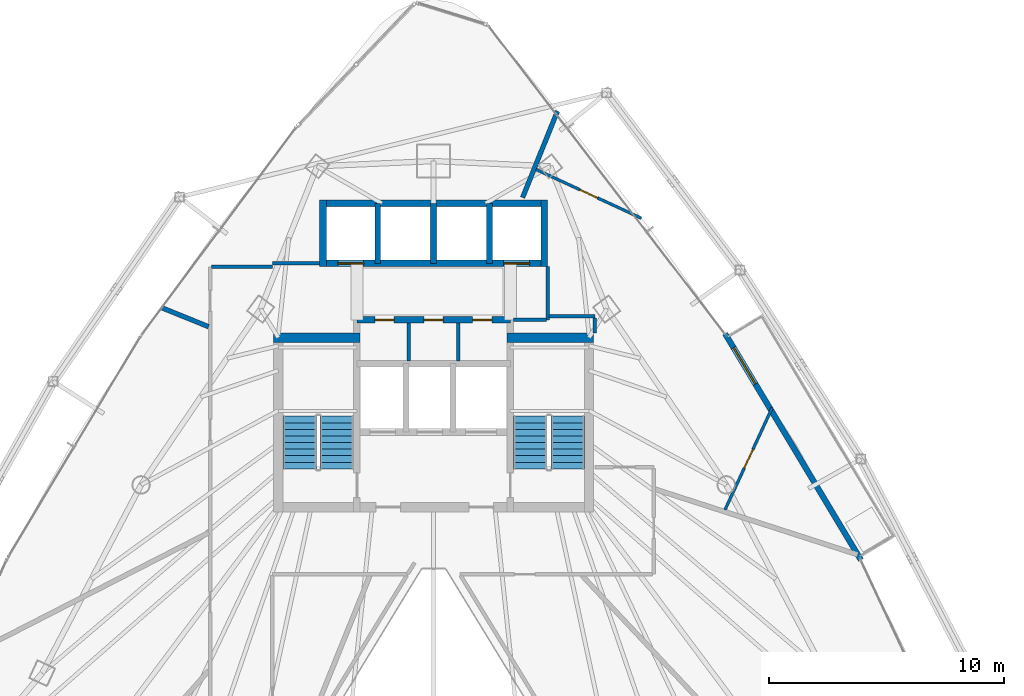
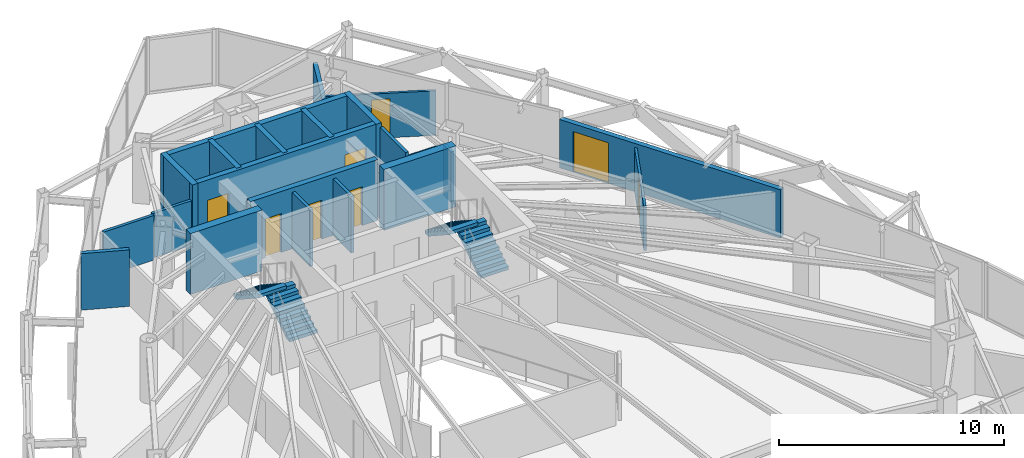
# One storey, part 28 of 31: 23 walls, 8 doors, 4 stair flights, 8 openings, 2 elements without a shape of their own.
"""IFC4 building model written with IfcOpenShell, lengths in metres."""

from ifc_helpers import new_model, si_unit, direction, frame, frame_2d, origin, place, context, subcontext, project, spatial, polyline, rectangle, outline, extrude, material, layer, layer_set, type_object, element, fill, aggregate, save


model = new_model("IFC4")

# Units and contexts
model_context = context("Model", 3, precision=1e-05, world=origin(), true_north=direction((0.0, 1.0)))
body_context = subcontext(model_context, "Body", "Model", "MODEL_VIEW")
ifc_project = project(units=[si_unit("LENGTHUNIT", "METRE"), si_unit("AREAUNIT", "SQUARE_METRE"), si_unit("VOLUMEUNIT", "CUBIC_METRE"), si_unit("PLANEANGLEUNIT", "RADIAN"), si_unit("MASSUNIT", "GRAM", prefix="KILO")], contexts=[model_context])

# Site, building, storey
site_placement = place(None, origin())
site = spatial("IfcSite", under=ifc_project, at=site_placement, CompositionType="ELEMENT")
building_placement = place(site_placement, origin())
building = spatial("IfcBuilding", under=site, at=building_placement, Name="Orvanel Arch Residences", CompositionType="ELEMENT")
storey_placement = place(building_placement, frame((0.0, 0.0, 150.64990234375)))
storey = spatial("IfcBuildingStorey", under=building, at=storey_placement, Name="L42", CompositionType="ELEMENT", Elevation=150.64990234375)

# Wall, opening, door
ifc_material_1 = material(Name="Precast concrete N50 (50 MPa)", Category="concrete")
ifc_layer_1 = layer(ifc_material_1, 0.239990234375)
ifc_layer_set_1 = layer_set([ifc_layer_1], Name="Precast concrete N50 (50 MPa)")
wall_type_1 = type_object("IfcWallType", Name="EW-BAL-240", PredefinedType="SOLIDWALL", material=ifc_layer_set_1)
wall_1_placement = place(storey_placement, frame((51.155029296875, 24.445068359375, 0.0), z_axis=(0.0, 0.0, 1.0), x_axis=(-0.514335781973, 0.857588889493, 0.0)))
wall_1 = element("IfcWall", 1, at=wall_1_placement, inside=storey, type_object=wall_type_1, Name="L42 Balcony Threshold Wall Face 3", PredefinedType="SOLIDWALL", context=body_context, shape_type="SweptSolid", body=[
    extrude(rectangle(XDim=11.22216796875, YDim=0.239990234375, at=frame_2d((5.611083984375, 0.0))), origin(), (0.0, 0.0, 1.0), 2.6240234375),
])
opening_1_placement = place(wall_1_placement, frame((8.72509765625, 0.0, 0.0)))
opening_1 = element("IfcOpeningElement", 2, at=opening_1_placement, cuts=wall_1, Name="Opening DB-180", PredefinedType="OPENING", context=body_context, shape_type="SweptSolid", body=[
    extrude(rectangle(XDim=1.800048828125, YDim=2.199951171875, at=frame_2d((0.89990234375, 1.10009765625))), frame((0.0, 0.1298828125, 0.0), z_axis=(0.0, -1.0, 0.0), x_axis=(1.0, 0.0, 0.0)), (0.0, 0.0, 1.0), 0.260009765625),
])
ifc_material_2 = material(Name="Bronze-anodised aluminium AA6063-T6", Category="aluminium")
door_type_1 = type_object("IfcDoorType", Name="DR-BAL-1800", OperationType="NOTDEFINED", PredefinedType="DOOR", material=ifc_material_2)
door_1_placement = place(opening_1_placement, origin())
door_1 = element("IfcDoor", 3, at=door_1_placement, inside=storey, type_object=door_type_1, Name="DR-L42-BAL-F3 L42 Planted Balcony Access Door Face 3", OperationType="SINGLE_SWING_RIGHT", OverallHeight=2.199951171875, OverallWidth=1.800048828125, PredefinedType="DOOR", context=body_context, shape_type="SweptSolid", body=[
    extrude(rectangle(XDim=1.800048828125, YDim=2.199951171875, at=frame_2d((0.89990234375, 1.10009765625))), frame((0.0, 0.02490234375, 0.0), z_axis=(0.0, -1.0, 0.0), x_axis=(1.0, 0.0, 0.0)), (0.0, 0.0, 1.0), 0.050048828125),
])
fill(opening_1, door_1)

# Walls
ifc_material_3 = material(Name="Concrete N50 (50 MPa)", Category="concrete")
ifc_layer_2 = layer(ifc_material_3, 0.25)
ifc_layer_set_2 = layer_set([ifc_layer_2], Name="Concrete N50 (50 MPa)")
wall_type_2 = type_object("IfcWallType", Name="SW-CORE-250", PredefinedType="SHEAR", material=ifc_layer_set_2)
for number, where, z_axis, x_axis, name in (
    (4, (30.625, 37.050048828125, 0.0), (0.0, 0.0, 1.0), (0.0, 1.0, 0.0), "L42 Passenger Lift Inter-Shaft Wall P35"),
    (5, (33.0, 37.050048828125, 0.0), (0.0, 0.0, 1.0), (0.0, 1.0, 0.0), "L42 Passenger Lift Inter-Shaft Wall P56"),
    (6, (35.375, 37.050048828125, 0.0), (0.0, 0.0, 1.0), (0.0, 1.0, 0.0), "L42 Passenger Lift Inter-Shaft Wall P64"),
):
    element("IfcWall", number, at=place(storey_placement, frame(where, z_axis=z_axis, x_axis=x_axis)), inside=storey, type_object=wall_type_2, Name=name, PredefinedType="SHEAR", context=body_context, shape_type="SweptSolid", body=[
        extrude(rectangle(XDim=2.550048828125, YDim=0.25, at=frame_2d((1.27490234375, 0.0))), origin(), (0.0, 0.0, 1.0), 3.300048828125),
    ])

# Wall, openings, doors
ifc_material_4 = material(Name="Concrete S65 (65 MPa)", Category="concrete")
ifc_layer_3 = layer(ifc_material_4, 0.280029296875)
ifc_layer_set_3 = layer_set([ifc_layer_3], Name="Concrete S65 (65 MPa)")
wall_type_3 = type_object("IfcWallType", Name="SW-CORE-280", PredefinedType="SHEAR", material=ifc_layer_set_3)
wall_2_placement = place(storey_placement, frame((29.739990234375, 34.64990234375, 0.0), z_axis=(0.0, 0.0, 1.0), x_axis=(1.0, 0.0, 0.0)))
wall_2 = element("IfcWall", 7, at=wall_2_placement, inside=storey, type_object=wall_type_3, Name="L42 Core Service Band North Shear Wall", PredefinedType="SHEAR", context=body_context, shape_type="SweptSolid", body=[
    extrude(rectangle(XDim=6.52001953125, YDim=0.280029296875, at=frame_2d((3.260009765625, 0.0))), origin(), (0.0, 0.0, 1.0), 3.300048828125),
])
opening_2_placement = place(wall_2_placement, frame((0.764892578125, 0.0, 0.0)))
opening_2 = element("IfcOpeningElement", 8, at=opening_2_placement, cuts=wall_2, Name="Opening DS-082", PredefinedType="OPENING", context=body_context, shape_type="SweptSolid", body=[
    extrude(rectangle(XDim=0.820068359375, YDim=2.10009765625, at=frame_2d((0.41015625, 1.050048828125))), frame((0.0, 0.14990234375, 0.0), z_axis=(0.0, -1.0, 0.0), x_axis=(1.0, 0.0, 0.0)), (0.0, 0.0, 1.0), 0.300048828125),
])
opening_3_placement = place(wall_2_placement, frame((2.840087890625, 0.0, 0.0)))
opening_3 = element("IfcOpeningElement", 9, at=opening_3_placement, cuts=wall_2, Name="Opening DS-082", PredefinedType="OPENING", context=body_context, shape_type="SweptSolid", body=[
    extrude(rectangle(XDim=0.820068359375, YDim=2.10009765625, at=frame_2d((0.41015625, 1.050048828125))), frame((0.0, 0.14990234375, 0.0), z_axis=(0.0, -1.0, 0.0), x_axis=(1.0, 0.0, 0.0)), (0.0, 0.0, 1.0), 0.300048828125),
])
opening_4_placement = place(wall_2_placement, frame((4.9150390625, 0.0, 0.0)))
opening_4 = element("IfcOpeningElement", 10, at=opening_4_placement, cuts=wall_2, Name="Opening DS-082", PredefinedType="OPENING", context=body_context, shape_type="SweptSolid", body=[
    extrude(rectangle(XDim=0.820068359375, YDim=2.10009765625, at=frame_2d((0.41015625, 1.050048828125))), frame((0.0, 0.14990234375, 0.0), z_axis=(0.0, -1.0, 0.0), x_axis=(1.0, 0.0, 0.0)), (0.0, 0.0, 1.0), 0.300048828125),
])
ifc_material_5 = material(Name="Galvanised steel fire-resisting door assembly", Category="steel")
door_type_2 = type_object("IfcDoorType", Name="DR-SVC-820", OperationType="NOTDEFINED", PredefinedType="DOOR", material=ifc_material_5)
door_2_placement = place(opening_2_placement, origin())
door_2 = element("IfcDoor", 11, at=door_2_placement, inside=storey, type_object=door_type_2, Name="DR-L42-CSVC-1 L42 Housekeeping Store Door", OperationType="SINGLE_SWING_LEFT", OverallHeight=2.10009765625, OverallWidth=0.820068359375, PredefinedType="DOOR", context=body_context, shape_type="SweptSolid", body=[
    extrude(rectangle(XDim=0.820068359375, YDim=2.10009765625, at=frame_2d((0.41015625, 1.050048828125))), frame((0.0, 0.02490234375, 0.0), z_axis=(0.0, -1.0, 0.0), x_axis=(1.0, 0.0, 0.0)), (0.0, 0.0, 1.0), 0.050048828125),
])
fill(opening_2, door_2)
door_3_placement = place(opening_3_placement, origin())
door_3 = element("IfcDoor", 12, at=door_3_placement, inside=storey, type_object=door_type_2, Name="DR-L42-CSVC-2 L42 Cleaner's Store Door", OperationType="SINGLE_SWING_LEFT", OverallHeight=2.10009765625, OverallWidth=0.820068359375, PredefinedType="DOOR", context=body_context, shape_type="SweptSolid", body=[
    extrude(rectangle(XDim=0.820068359375, YDim=2.10009765625, at=frame_2d((0.41015625, 1.050048828125))), frame((0.0, 0.02490234375, 0.0), z_axis=(0.0, -1.0, 0.0), x_axis=(1.0, 0.0, 0.0)), (0.0, 0.0, 1.0), 0.050048828125),
])
fill(opening_3, door_3)
door_4_placement = place(opening_4_placement, origin())
door_4 = element("IfcDoor", 13, at=door_4_placement, inside=storey, type_object=door_type_2, Name="DR-L42-CSVC-3 L42 Comms Riser Store Door", OperationType="SINGLE_SWING_LEFT", OverallHeight=2.10009765625, OverallWidth=0.820068359375, PredefinedType="DOOR", context=body_context, shape_type="SweptSolid", body=[
    extrude(rectangle(XDim=0.820068359375, YDim=2.10009765625, at=frame_2d((0.41015625, 1.050048828125))), frame((0.0, 0.02490234375, 0.0), z_axis=(0.0, -1.0, 0.0), x_axis=(1.0, 0.0, 0.0)), (0.0, 0.0, 1.0), 0.050048828125),
])
fill(opening_4, door_4)

wall_3_placement = place(storey_placement, frame((37.840087890625, 37.050048828125, 0.0), z_axis=(0.0, 0.0, 1.0), x_axis=(-1.0, 0.0, 0.0)))
wall_3 = element("IfcWall", 14, at=wall_3_placement, inside=storey, type_object=wall_type_3, Name="L42 Passenger Lift Bank Front Shear Wall", PredefinedType="SHEAR", context=body_context, shape_type="SweptSolid", body=[
    extrude(rectangle(XDim=9.68017578125, YDim=0.280029296875, at=frame_2d((4.840087890625, 0.0))), origin(), (0.0, 0.0, 1.0), 3.300048828125),
])
opening_5_placement = place(wall_3_placement, frame((7.81494140625, 0.0, 0.0)))
opening_5 = element("IfcOpeningElement", 15, at=opening_5_placement, cuts=wall_3, Name="Opening LD-110", PredefinedType="OPENING", context=body_context, shape_type="SweptSolid", body=[
    extrude(rectangle(XDim=1.10009765625, YDim=2.199951171875, at=frame_2d((0.550048828125, 1.10009765625))), frame((0.0, 0.14990234375, 0.0), z_axis=(0.0, -1.0, 0.0), x_axis=(1.0, 0.0, 0.0)), (0.0, 0.0, 1.0), 0.300048828125),
])
opening_6_placement = place(wall_3_placement, frame((0.764892578125, 0.0, 0.0)))
opening_6 = element("IfcOpeningElement", 16, at=opening_6_placement, cuts=wall_3, Name="Opening LD-110", PredefinedType="OPENING", context=body_context, shape_type="SweptSolid", body=[
    extrude(rectangle(XDim=1.10009765625, YDim=2.199951171875, at=frame_2d((0.550048828125, 1.10009765625))), frame((0.0, 0.14990234375, 0.0), z_axis=(0.0, -1.0, 0.0), x_axis=(1.0, 0.0, 0.0)), (0.0, 0.0, 1.0), 0.300048828125),
])
door_type_3 = type_object("IfcDoorType", Name="DR-LFT-1100", OperationType="NOTDEFINED", PredefinedType="DOOR", material=ifc_material_5)
door_5_placement = place(opening_5_placement, origin())
door_5 = element("IfcDoor", 17, at=door_5_placement, inside=storey, type_object=door_type_3, Name="LD-P3-L42 L42 Passenger Lift P3 Sliding Landing Door", OperationType="DOUBLE_DOOR_SLIDING", OverallHeight=2.199951171875, OverallWidth=1.10009765625, PredefinedType="DOOR", context=body_context, shape_type="SweptSolid", body=[
    extrude(rectangle(XDim=1.10009765625, YDim=2.199951171875, at=frame_2d((0.550048828125, 1.10009765625))), frame((0.0, 0.02490234375, 0.0), z_axis=(0.0, -1.0, 0.0), x_axis=(1.0, 0.0, 0.0)), (0.0, 0.0, 1.0), 0.050048828125),
])
fill(opening_5, door_5)
door_6_placement = place(opening_6_placement, origin())
door_6 = element("IfcDoor", 18, at=door_6_placement, inside=storey, type_object=door_type_3, Name="LD-P4-L42 L42 Passenger Lift P4 Sliding Landing Door", OperationType="DOUBLE_DOOR_SLIDING", OverallHeight=2.199951171875, OverallWidth=1.10009765625, PredefinedType="DOOR", context=body_context, shape_type="SweptSolid", body=[
    extrude(rectangle(XDim=1.10009765625, YDim=2.199951171875, at=frame_2d((0.550048828125, 1.10009765625))), frame((0.0, 0.02490234375, 0.0), z_axis=(0.0, -1.0, 0.0), x_axis=(1.0, 0.0, 0.0)), (0.0, 0.0, 1.0), 0.050048828125),
])
fill(opening_6, door_6)

# Walls
wall_4_placement = place(storey_placement, frame((28.159912109375, 39.60009765625, 0.0), z_axis=(0.0, 0.0, 1.0), x_axis=(1.0, 0.0, 0.0)))
element("IfcWall", 19, at=wall_4_placement, inside=storey, type_object=wall_type_3, Name="L42 Passenger Lift Bank North Shear Wall", PredefinedType="SHEAR", context=body_context, shape_type="SweptSolid", body=[
    extrude(rectangle(XDim=9.68017578125, YDim=0.280029296875, at=frame_2d((4.840087890625, 0.0))), origin(), (0.0, 0.0, 1.0), 3.300048828125),
])
for number, where, z_axis, x_axis, name in (
    (20, (28.300048828125, 36.909912109375, 0.0), (0.0, 0.0, 1.0), (0.0, 1.0, 0.0), "L42 Passenger Lift Bank West Shear Wall"),
    (21, (37.699951171875, 36.909912109375, 0.0), (0.0, 0.0, 1.0), (0.0, 1.0, 0.0), "L42 Passenger Lift Bank East Shear Wall"),
):
    element("IfcWall", number, at=place(storey_placement, frame(where, z_axis=z_axis, x_axis=x_axis)), inside=storey, type_object=wall_type_3, Name=name, PredefinedType="SHEAR", context=body_context, shape_type="SweptSolid", body=[
        extrude(rectangle(XDim=2.830078125, YDim=0.280029296875, at=frame_2d((1.4150390625, 0.0))), origin(), (0.0, 0.0, 1.0), 3.300048828125),
    ])
ifc_layer_4 = layer(ifc_material_4, 0.39990234375)
ifc_layer_set_4 = layer_set([ifc_layer_4], Name="Concrete S65 (65 MPa)")
wall_type_4 = type_object("IfcWallType", Name="SW-CORE-400", PredefinedType="SHEAR", material=ifc_layer_set_4)
for number, where, z_axis, x_axis, name in (
    (22, (26.199951171875, 33.89990234375, 0.0), (0.0, 0.0, 1.0), (1.0, 0.0, 0.0), "L42 West Stair North Shear Wall"),
    (23, (36.1201171875, 33.89990234375, 0.0), (0.0, 0.0, 1.0), (1.0, 0.0, 0.0), "L42 East Stair North Shear Wall"),
):
    element("IfcWall", number, at=place(storey_placement, frame(where, z_axis=z_axis, x_axis=x_axis)), inside=storey, type_object=wall_type_4, Name=name, PredefinedType="SHEAR", context=body_context, shape_type="SweptSolid", body=[
        extrude(rectangle(XDim=3.679931640625, YDim=0.39990234375, at=frame_2d((1.83984375, 0.0))), origin(), (0.0, 0.0, 1.0), 3.300048828125),
    ])
ifc_material_6 = material(Name="Fire-rated plasterboard lined steel stud partition", Category="steel")
ifc_layer_5 = layer(ifc_material_6, 0.14990234375)
ifc_layer_set_5 = layer_set([ifc_layer_5], Name="Fire-rated plasterboard lined steel stud partition")
wall_type_5 = type_object("IfcWallType", Name="W-COR-150", PredefinedType="PARTITIONING", material=ifc_layer_set_5)
wall_5_placement = place(storey_placement, frame((37.85009765625, 34.64990234375, 0.0), z_axis=(0.0, 0.0, 1.0), x_axis=(0.0, 1.0, 0.0)))
element("IfcWall", 24, at=wall_5_placement, inside=storey, type_object=wall_type_5, Name="L42 Passenger Lift Lobby East Closure Wall", PredefinedType="PARTITIONING", context=body_context, shape_type="SweptSolid", body=[
    extrude(rectangle(XDim=2.260009765625, YDim=0.14990234375, at=frame_2d((1.1298828125, 0.0))), origin(), (0.0, 0.0, 1.0), 3.06005859375),
])
wall_6_placement = place(storey_placement, frame((36.385009765625, 34.64990234375, 0.0), z_axis=(0.0, 0.0, 1.0), x_axis=(1.0, 0.0, 0.0)))
element("IfcWall", 25, at=wall_6_placement, inside=storey, type_object=wall_type_5, Name="L42 Passenger Lift Lobby South-East Wall", PredefinedType="PARTITIONING", context=body_context, shape_type="SweptSolid", body=[
    extrude(rectangle(XDim=1.405029296875, YDim=0.14990234375, at=frame_2d((0.70263671875, 0.0))), origin(), (0.0, 0.0, 1.0), 2.425048828125),
])
wall_7_placement = place(storey_placement, frame((23.56005859375, 36.89990234375, 0.0), z_axis=(0.0, 0.0, 1.0), x_axis=(1.0, 0.0, 0.0)))
element("IfcWall", 26, at=wall_7_placement, inside=storey, type_object=wall_type_5, Name="L42 Corridor Fire-Rated Partition", PredefinedType="PARTITIONING", context=body_context, shape_type="SweptSolid", body=[
    extrude(rectangle(XDim=2.58984375, YDim=0.14990234375, at=frame_2d((1.294921875, 0.0))), origin(), (0.0, 0.0, 1.0), 2.4130859375),
])
wall_8_placement = place(storey_placement, frame((26.14990234375, 37.050048828125, 0.0), z_axis=(0.0, 0.0, 1.0), x_axis=(1.0, 0.0, 0.0)))
element("IfcWall", 27, at=wall_8_placement, inside=storey, type_object=wall_type_5, Name="L42 Core Perimeter Partition", PredefinedType="PARTITIONING", context=body_context, shape_type="SweptSolid", body=[
    extrude(rectangle(XDim=2.0, YDim=0.14990234375, at=frame_2d((1.0, 0.0))), origin(), (0.0, 0.0, 1.0), 2.4130859375),
])
wall_9_placement = place(storey_placement, frame((37.909912109375, 34.800048828125, 0.0), z_axis=(0.0, 0.0, 1.0), x_axis=(1.0, 0.0, 0.0)))
element("IfcWall", 28, at=wall_9_placement, inside=storey, type_object=wall_type_5, Name="L42 Core Perimeter Partition", PredefinedType="PARTITIONING", context=body_context, shape_type="SweptSolid", body=[
    extrude(rectangle(XDim=1.940185546875, YDim=0.14990234375, at=frame_2d((0.97021484375, 0.0))), origin(), (0.0, 0.0, 1.0), 2.72119140625),
])
wall_10_placement = place(storey_placement, frame((39.85009765625, 34.739990234375, 0.0), z_axis=(0.0, 0.0, 1.0), x_axis=(0.0, -1.0, 0.0)))
element("IfcWall", 29, at=wall_10_placement, inside=storey, type_object=wall_type_5, Name="L42 Core Perimeter Partition", PredefinedType="PARTITIONING", context=body_context, shape_type="SweptSolid", body=[
    extrude(rectangle(XDim=0.639892578125, YDim=0.14990234375, at=frame_2d((0.31982421875, 0.0))), origin(), (0.0, 0.0, 1.0), 2.72119140625),
])
ifc_layer_6 = layer(ifc_material_6, 0.199951171875)
ifc_layer_set_6 = layer_set([ifc_layer_6], Name="Fire-rated plasterboard lined steel stud partition")
wall_type_6 = type_object("IfcWallType", Name="W-DEM-200", PredefinedType="PARTITIONING", material=ifc_layer_set_6)
wall_11_placement = place(storey_placement, frame((36.778076171875, 39.85009765625, 0.0), z_axis=(0.0, 0.0, 1.0), x_axis=(0.374430412004, 0.927255017008, 0.0)))
element("IfcWall", 30, at=wall_11_placement, inside=storey, type_object=wall_type_6, Name="L42 Inter-Tenancy Acoustic Demising Wall", PredefinedType="PARTITIONING", context=body_context, shape_type="SweptSolid", body=[
    extrude(rectangle(XDim=3.957763671875, YDim=0.199951171875, at=frame_2d((1.97900390625, 0.0))), origin(), (0.0, 0.0, 1.0), 2.4130859375),
])
wall_12_placement = place(storey_placement, frame((23.43994140625, 34.362060546875, 0.0), z_axis=(0.0, 0.0, 1.0), x_axis=(-0.927021575741, 0.375007997395, 0.0)))
element("IfcWall", 31, at=wall_12_placement, inside=storey, type_object=wall_type_6, Name="L42 Inter-Tenancy Acoustic Demising Wall", PredefinedType="PARTITIONING", context=body_context, shape_type="SweptSolid", body=[
    extrude(rectangle(XDim=2.16259765625, YDim=0.199951171875, at=frame_2d((1.081298828125, 0.0))), origin(), (0.0, 0.0, 1.0), 3.06005859375),
])
ifc_layer_7 = layer(ifc_material_6, 0.14990234375)
ifc_layer_set_7 = layer_set([ifc_layer_7], Name="Fire-rated plasterboard lined steel stud partition")
wall_type_7 = type_object("IfcWallType", Name="W-ST-150", PredefinedType="PARTITIONING", material=ifc_layer_set_7)
for number, where, z_axis, x_axis, name in (
    (32, (31.949951171875, 32.9150390625, 0.0), (0.0, 0.0, 1.0), (0.0, 1.0, 0.0), "L42 Core Service Partition 1"),
    (33, (34.050048828125, 32.9150390625, 0.0), (0.0, 0.0, 1.0), (0.0, 1.0, 0.0), "L42 Core Service Partition 2"),
):
    element("IfcWall", number, at=place(storey_placement, frame(where, z_axis=z_axis, x_axis=x_axis)), inside=storey, type_object=wall_type_7, Name=name, PredefinedType="PARTITIONING", context=body_context, shape_type="SweptSolid", body=[
        extrude(rectangle(XDim=1.60986328125, YDim=0.14990234375, at=frame_2d((0.804931640625, 0.0))), origin(), (0.0, 0.0, 1.0), 3.06005859375),
    ])

# Wall, opening, door
ifc_material_7 = material(Name="Acoustic plasterboard lined twin-stud partition", Category="gypsum")
ifc_layer_8 = layer(ifc_material_7, 0.1201171875)
ifc_layer_set_8 = layer_set([ifc_layer_8], Name="Acoustic plasterboard lined twin-stud partition")
wall_type_8 = type_object("IfcWallType", Name="W-WET-120", PredefinedType="PARTITIONING", material=ifc_layer_set_8)
wall_13_placement = place(storey_placement, frame((37.35107421875, 41.0419921875, 0.0), z_axis=(0.0, 0.0, 1.0), x_axis=(0.907592371503, -0.419852458834, 0.0)))
wall_13 = element("IfcWall", 34, at=wall_13_placement, inside=storey, type_object=wall_type_8, Name="L42 Studio B Bathroom Partition", PredefinedType="PARTITIONING", context=body_context, shape_type="SweptSolid", body=[
    extrude(rectangle(XDim=4.930419921875, YDim=0.1201171875, at=frame_2d((2.46533203125, 0.0))), origin(), (0.0, 0.0, 1.0), 2.4130859375),
])
opening_7_placement = place(wall_13_placement, frame((2.054931640625, 0.0, 0.0)))
opening_7 = element("IfcOpeningElement", 35, at=opening_7_placement, cuts=wall_13, Name="Opening DW-082", PredefinedType="OPENING", context=body_context, shape_type="SweptSolid", body=[
    extrude(rectangle(XDim=0.820068359375, YDim=2.10009765625, at=frame_2d((0.41015625, 1.050048828125))), frame((0.0, 0.070068359375, 0.0), z_axis=(0.0, -1.0, 0.0), x_axis=(1.0, 0.0, 0.0)), (0.0, 0.0, 1.0), 0.14013671875),
])
ifc_material_8 = material(Name="Solid-core European oak veneer fire door leaf", Category="wood")
door_type_4 = type_object("IfcDoorType", Name="DR-WET-820", OperationType="NOTDEFINED", PredefinedType="DOOR", material=ifc_material_8)
door_7_placement = place(opening_7_placement, origin())
door_7 = element("IfcDoor", 36, at=door_7_placement, inside=storey, type_object=door_type_4, Name="DR-L42-B-BATH L42 Studio B Bathroom Door", OperationType="SINGLE_SWING_RIGHT", OverallHeight=2.10009765625, OverallWidth=0.820068359375, PredefinedType="DOOR", context=body_context, shape_type="SweptSolid", body=[
    extrude(rectangle(XDim=0.820068359375, YDim=2.10009765625, at=frame_2d((0.41015625, 1.050048828125))), frame((0.0, 0.02490234375, 0.0), z_axis=(0.0, -1.0, 0.0), x_axis=(1.0, 0.0, 0.0)), (0.0, 0.0, 1.0), 0.050048828125),
])
fill(opening_7, door_7)

wall_14_placement = place(storey_placement, frame((47.3798828125, 30.9150390625, 0.0), z_axis=(0.0, 0.0, 1.0), x_axis=(-0.419818119852, -0.907608255936, 0.0)))
wall_14 = element("IfcWall", 37, at=wall_14_placement, inside=storey, type_object=wall_type_8, Name="L42 Studio B Internal Partition", PredefinedType="PARTITIONING", context=body_context, shape_type="SweptSolid", body=[
    extrude(rectangle(XDim=4.766357421875, YDim=0.1201171875, at=frame_2d((2.38330078125, 0.0))), origin(), (0.0, 0.0, 1.0), 2.4130859375),
])
opening_8_placement = place(wall_14_placement, frame((1.943115234375, 0.0, 0.0)))
opening_8 = element("IfcOpeningElement", 38, at=opening_8_placement, cuts=wall_14, Name="Opening DI-088", PredefinedType="OPENING", context=body_context, shape_type="SweptSolid", body=[
    extrude(rectangle(XDim=0.8798828125, YDim=2.10009765625, at=frame_2d((0.43994140625, 1.050048828125))), frame((0.0, 0.070068359375, 0.0), z_axis=(0.0, -1.0, 0.0), x_axis=(1.0, 0.0, 0.0)), (0.0, 0.0, 1.0), 0.14013671875),
])
door_type_5 = type_object("IfcDoorType", Name="DR-INT-880", OperationType="NOTDEFINED", PredefinedType="DOOR", material=ifc_material_8)
door_8_placement = place(opening_8_placement, origin())
door_8 = element("IfcDoor", 39, at=door_8_placement, inside=storey, type_object=door_type_5, Name="DR-L42-B-KIT L42 Studio B Kitchenette Door", OperationType="SINGLE_SWING_LEFT", OverallHeight=2.10009765625, OverallWidth=0.8798828125, PredefinedType="DOOR", context=body_context, shape_type="SweptSolid", body=[
    extrude(rectangle(XDim=0.8798828125, YDim=2.10009765625, at=frame_2d((0.43994140625, 1.050048828125))), frame((0.0, 0.02490234375, 0.0), z_axis=(0.0, -1.0, 0.0), x_axis=(1.0, 0.0, 0.0)), (0.0, 0.0, 1.0), 0.050048828125),
])
fill(opening_8, door_8)

# Stair, stair flights
stair_type = type_object("IfcStairType", Name="STR-DOG-184", PredefinedType="USERDEFINED", material=ifc_material_1)
stair_1_placement = place(storey_placement, origin())
stair_1 = element("IfcStair", 40, at=stair_1_placement, inside=storey, type_object=stair_type, Name="L42 Fire-Isolated Core Exit Stair 1", ObjectType="TWO_RETURN_STAIR", PredefinedType="USERDEFINED")
stair_flight_type_1 = type_object("IfcStairFlightType", Name="SFL-C1-184", PredefinedType="STRAIGHT", material=ifc_material_1)
stair_flight_1_placement = place(storey_placement, frame((28.889892578125, 28.320068359375, 0.0), z_axis=(0.0, 0.0, 1.0), x_axis=(0.0, 1.0, 0.0)))
stair_flight_1 = element("IfcStairFlight", 41, at=stair_flight_1_placement, type_object=stair_flight_type_1, Name="ST-1 flight 1", NumberOfRisers=9, NumberOfTreads=8, PredefinedType="STRAIGHT", RiserHeight=0.183333333, TreadLength=0.28, context=body_context, shape_type="SweptSolid", body=[
    extrude(outline(polyline([(0.0, 0.0), (0.0, 0.183349609375), (0.280029296875, 0.183349609375), (0.280029296875, 0.36669921875), (0.56005859375, 0.36669921875), (0.56005859375, 0.550048828125), (0.840087890625, 0.550048828125), (0.840087890625, 0.7333984375), (1.1201171875, 0.7333984375), (1.1201171875, 0.916748046875), (1.39990234375, 0.916748046875), (1.39990234375, 1.10009765625), (1.679931640625, 1.10009765625), (1.679931640625, 1.283447265625), (1.9599609375, 1.283447265625), (1.9599609375, 1.466552734375), (2.239990234375, 1.466552734375), (2.239990234375, 1.64990234375), (2.239990234375, 1.28759765625), (0.273681640625, 0.0), (0.0, 0.0)])), frame((0.0, 0.7099609375, 0.0), z_axis=(0.0, -1.0, 0.0), x_axis=(1.0, 0.0, 0.0)), (0.0, 0.0, 1.0), 1.419921875),
])
stair_flight_2_placement = place(storey_placement, frame((27.31005859375, 30.56005859375, 1.650146484375), z_axis=(0.0, 0.0, 1.0), x_axis=(0.0, -1.0, 0.0)))
stair_flight_2 = element("IfcStairFlight", 42, at=stair_flight_2_placement, type_object=stair_flight_type_1, Name="ST-1 flight 2", NumberOfRisers=9, NumberOfTreads=8, PredefinedType="STRAIGHT", RiserHeight=0.183333333, TreadLength=0.28, context=body_context, shape_type="SweptSolid", body=[
    extrude(outline(polyline([(0.0, 0.0), (0.0, 0.183349609375), (0.280029296875, 0.183349609375), (0.280029296875, 0.36669921875), (0.56005859375, 0.36669921875), (0.56005859375, 0.550048828125), (0.840087890625, 0.550048828125), (0.840087890625, 0.7333984375), (1.1201171875, 0.7333984375), (1.1201171875, 0.916748046875), (1.39990234375, 0.916748046875), (1.39990234375, 1.10009765625), (1.679931640625, 1.10009765625), (1.679931640625, 1.283447265625), (1.9599609375, 1.283447265625), (1.9599609375, 1.466552734375), (2.239990234375, 1.466552734375), (2.239990234375, 1.64990234375), (2.239990234375, 1.28759765625), (0.273681640625, 0.0), (0.0, 0.0)])), frame((0.0, 0.7099609375, 0.0), z_axis=(0.0, -1.0, 0.0), x_axis=(1.0, 0.0, 0.0)), (0.0, 0.0, 1.0), 1.419921875),
])
aggregate(stair_1, [stair_flight_1, stair_flight_2])

stair_2_placement = place(storey_placement, origin())
stair_2 = element("IfcStair", 43, at=stair_2_placement, inside=storey, type_object=stair_type, Name="L42 Fire-Isolated Core Exit Stair 2", ObjectType="TWO_RETURN_STAIR", PredefinedType="USERDEFINED")
stair_flight_type_2 = type_object("IfcStairFlightType", Name="SFL-C2-184", PredefinedType="STRAIGHT", material=ifc_material_1)
stair_flight_3_placement = place(storey_placement, frame((38.68994140625, 28.320068359375, 0.0), z_axis=(0.0, 0.0, 1.0), x_axis=(0.0, 1.0, 0.0)))
stair_flight_3 = element("IfcStairFlight", 44, at=stair_flight_3_placement, type_object=stair_flight_type_2, Name="ST-2 flight 1", NumberOfRisers=9, NumberOfTreads=8, PredefinedType="STRAIGHT", RiserHeight=0.183333333, TreadLength=0.28, context=body_context, shape_type="SweptSolid", body=[
    extrude(outline(polyline([(0.0, 0.0), (0.0, 0.183349609375), (0.280029296875, 0.183349609375), (0.280029296875, 0.36669921875), (0.56005859375, 0.36669921875), (0.56005859375, 0.550048828125), (0.840087890625, 0.550048828125), (0.840087890625, 0.7333984375), (1.1201171875, 0.7333984375), (1.1201171875, 0.916748046875), (1.39990234375, 0.916748046875), (1.39990234375, 1.10009765625), (1.679931640625, 1.10009765625), (1.679931640625, 1.283447265625), (1.9599609375, 1.283447265625), (1.9599609375, 1.466552734375), (2.239990234375, 1.466552734375), (2.239990234375, 1.64990234375), (2.239990234375, 1.28759765625), (0.273681640625, 0.0), (0.0, 0.0)])), frame((0.0, 0.7099609375, 0.0), z_axis=(0.0, -1.0, 0.0), x_axis=(1.0, 0.0, 0.0)), (0.0, 0.0, 1.0), 1.419921875),
])
stair_flight_4_placement = place(storey_placement, frame((37.110107421875, 30.56005859375, 1.650146484375), z_axis=(0.0, 0.0, 1.0), x_axis=(0.0, -1.0, 0.0)))
stair_flight_4 = element("IfcStairFlight", 45, at=stair_flight_4_placement, type_object=stair_flight_type_2, Name="ST-2 flight 2", NumberOfRisers=9, NumberOfTreads=8, PredefinedType="STRAIGHT", RiserHeight=0.183333333, TreadLength=0.28, context=body_context, shape_type="SweptSolid", body=[
    extrude(outline(polyline([(0.0, 0.0), (0.0, 0.183349609375), (0.280029296875, 0.183349609375), (0.280029296875, 0.36669921875), (0.56005859375, 0.36669921875), (0.56005859375, 0.550048828125), (0.840087890625, 0.550048828125), (0.840087890625, 0.7333984375), (1.1201171875, 0.7333984375), (1.1201171875, 0.916748046875), (1.39990234375, 0.916748046875), (1.39990234375, 1.10009765625), (1.679931640625, 1.10009765625), (1.679931640625, 1.283447265625), (1.9599609375, 1.283447265625), (1.9599609375, 1.466552734375), (2.239990234375, 1.466552734375), (2.239990234375, 1.64990234375), (2.239990234375, 1.28759765625), (0.273681640625, 0.0), (0.0, 0.0)])), frame((0.0, 0.7099609375, 0.0), z_axis=(0.0, -1.0, 0.0), x_axis=(1.0, 0.0, 0.0)), (0.0, 0.0, 1.0), 1.419921875),
])
aggregate(stair_2, [stair_flight_3, stair_flight_4])

save(model, "model.ifc")
